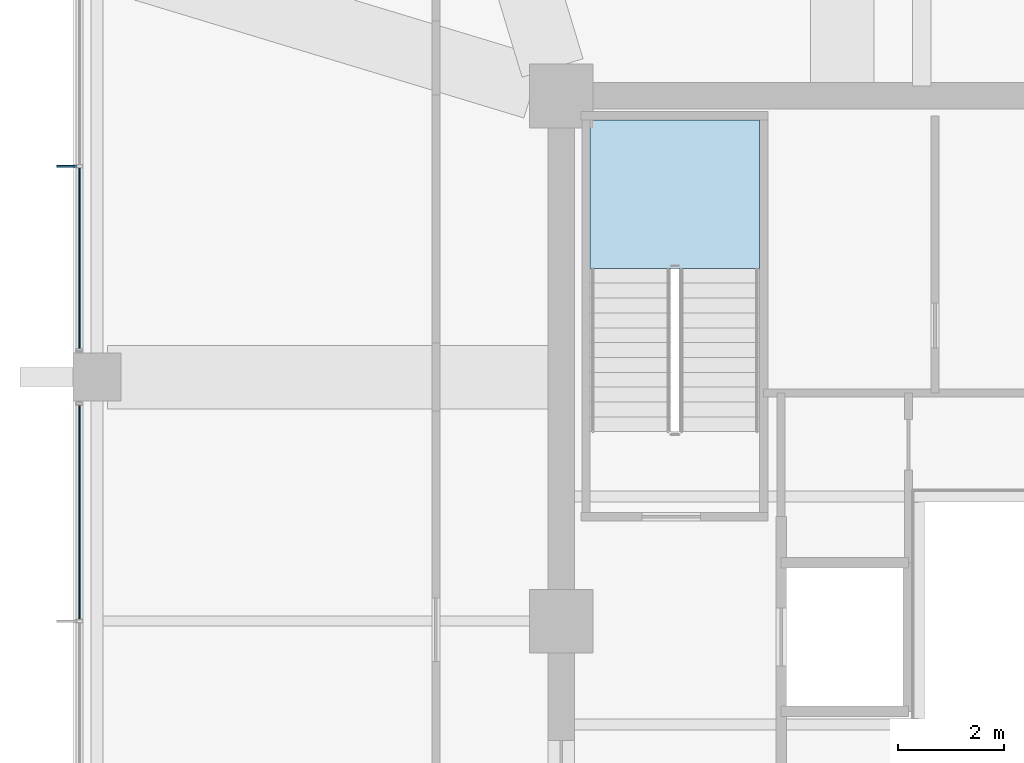
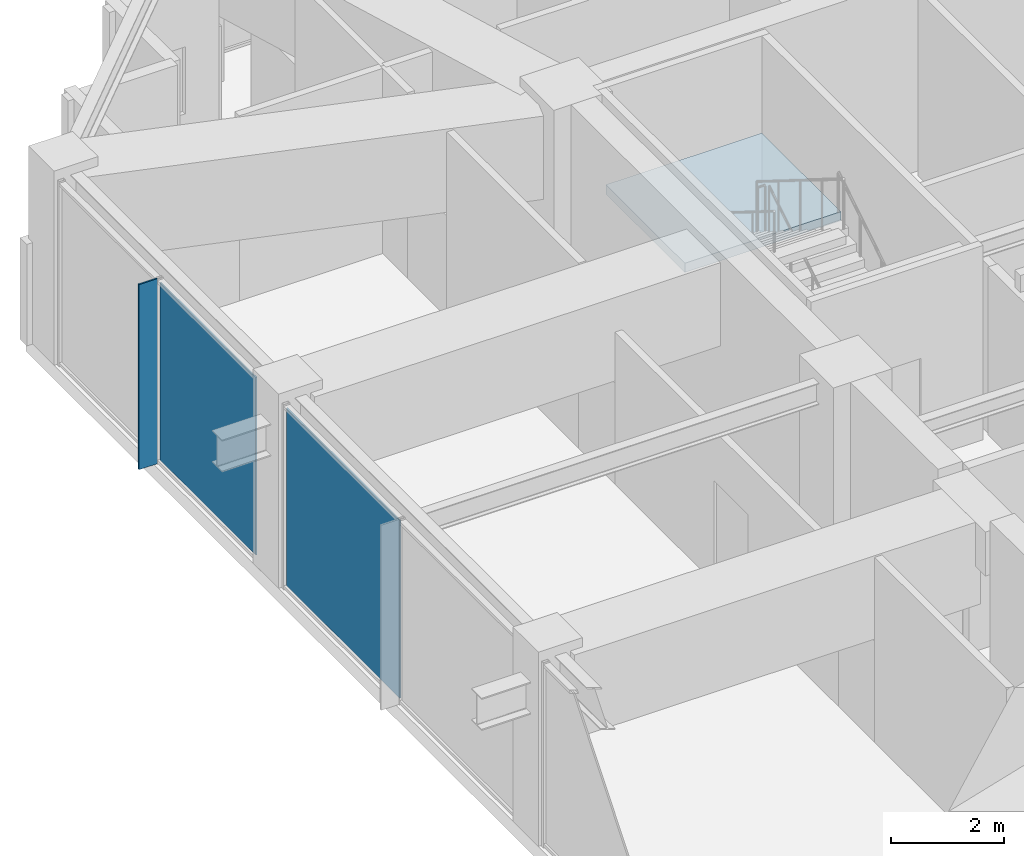
# One storey, part 22 of 33: 3 plates, 1 slab, 3 elements without a shape of their own.
"""IFC4 building model written with IfcOpenShell, lengths in metres."""

from ifc_helpers import new_model, si_unit, direction, frame, origin, origin_2d, place, context, subcontext, project, spatial, polyline, rectangle, outline, extrude, material, layer, layer_set, type_object, element, aggregate, save


model = new_model("IFC4")

# Units and contexts
model_context = context("Model", 3, precision=1e-05, world=origin(), true_north=direction((0.0, 1.0)))
body_context = subcontext(model_context, "Body", "Model", "MODEL_VIEW")
ifc_project = project(units=[si_unit("LENGTHUNIT", "METRE"), si_unit("AREAUNIT", "SQUARE_METRE"), si_unit("VOLUMEUNIT", "CUBIC_METRE"), si_unit("PLANEANGLEUNIT", "RADIAN"), si_unit("MASSUNIT", "GRAM", prefix="KILO")], contexts=[model_context])

# Site, building, storey
site_placement = place(None, origin())
site = spatial("IfcSite", under=ifc_project, at=site_placement, CompositionType="ELEMENT")
building_placement = place(site_placement, origin())
building = spatial("IfcBuilding", under=site, at=building_placement, Name="Kolvaren Belvedere", CompositionType="ELEMENT")
storey_placement = place(building_placement, frame((0.0, 0.0, 152.699951171875)))
storey = spatial("IfcBuildingStorey", under=building, at=storey_placement, Name="L44", CompositionType="ELEMENT", Elevation=152.699951171875)

# Curtain wall, plate
ifc_material_1 = material(Name="Anodised pale-metal aluminium AA 6063-T6", Category="aluminium")
curtain_wall_type = type_object("IfcCurtainWallType", Name="CW-Z3-WAIST", PredefinedType="NOTDEFINED", material=ifc_material_1)
curtain_wall_1_placement = place(storey_placement, origin())
curtain_wall_1 = element("IfcCurtainWall", 1, at=curtain_wall_1_placement, inside=storey, type_object=curtain_wall_type, Name="L44 Unitised Curtain Wall FCW-L44-W-B2", PredefinedType="NOTDEFINED")
ifc_material_2 = material(Name="Low-iron triple insulated glass", Category="glass")
ifc_layer_1 = layer(ifc_material_2, 0.028076171875)
ifc_layer_set_1 = layer_set([ifc_layer_1], Name="Low-iron triple insulated glass")
plate_type_1 = type_object("IfcPlateType", Name="CW-PNL-VIS28", PredefinedType="CURTAIN_PANEL", material=ifc_layer_set_1)
plate_1_placement = place(storey_placement, frame((-18.97998046875, 2.048828125, 0.080078125), z_axis=(0.0, 0.0, 1.0), x_axis=(0.0, 1.0, 0.0)))
plate_1 = element("IfcPlate", 2, at=plate_1_placement, type_object=plate_type_1, Name="FCW-L44-W-B2 Vision Glazing Panel 2", PredefinedType="CURTAIN_PANEL", context=body_context, shape_type="SweptSolid", body=[
    extrude(rectangle(XDim=4.017578125, YDim=0.028076171875, at=origin_2d()), origin(), (0.0, 0.0, 1.0), 3.840087890625),
])
aggregate(curtain_wall_1, [plate_1])

curtain_wall_2_placement = place(storey_placement, origin())
curtain_wall_2 = element("IfcCurtainWall", 3, at=curtain_wall_2_placement, inside=storey, type_object=curtain_wall_type, Name="L44 Unitised Curtain Wall FCW-L44-W-B3", PredefinedType="NOTDEFINED")
plate_2_placement = place(storey_placement, frame((-18.97998046875, 6.8388671875, 0.080078125), z_axis=(0.0, 0.0, 1.0), x_axis=(0.0, 1.0, 0.0)))
plate_2 = element("IfcPlate", 4, at=plate_2_placement, type_object=plate_type_1, Name="FCW-L44-W-B3 Vision Glazing Panel 1", PredefinedType="CURTAIN_PANEL", context=body_context, shape_type="SweptSolid", body=[
    extrude(rectangle(XDim=3.392578125, YDim=0.028076171875, at=origin_2d()), origin(), (0.0, 0.0, 1.0), 3.840087890625),
])
aggregate(curtain_wall_2, [plate_2])

# Plate
ifc_material_3 = material(Name="Anodised pale-metal aluminium AA 6063-T6", Category="aluminium")
ifc_layer_2 = layer(ifc_material_3, 0.033935546875)
ifc_layer_set_2 = layer_set([ifc_layer_2], Name="Anodised pale-metal aluminium AA 6063-T6")
plate_type_2 = type_object("IfcPlateType", Name="FIN-VERT-380", PredefinedType="USERDEFINED", material=ifc_layer_set_2)
plate_3_placement = place(storey_placement, frame((-19.219970703125, 8.574951171875, 0.0), z_axis=(0.0, 0.0, 1.0), x_axis=(1.0, 0.0, 0.0)))
element("IfcPlate", 5, at=plate_3_placement, inside=storey, type_object=plate_type_2, Name="L44 Pale-Metal Vertical Shading Fin FCW-L44-W-B3-1", ObjectType="VERTICAL FIN", PredefinedType="USERDEFINED", context=body_context, shape_type="SweptSolid", body=[
    extrude(rectangle(XDim=0.3798828125, YDim=0.033935546875, at=origin_2d()), origin(), (0.0, 0.0, 1.0), 4.0),
])

# Stair, slab
ifc_material_4 = material(Name="Concrete C50/60", Category="concrete")
stair_type = type_object("IfcStairType", Name="ST-CORE-1520", PredefinedType="HALF_TURN_STAIR", material=ifc_material_4)
stair_placement = place(storey_placement, origin())
stair = element("IfcStair", 6, at=stair_placement, inside=storey, type_object=stair_type, Name="L44 Protected Exit Stair ST-1", PredefinedType="HALF_TURN_STAIR")
ifc_material_5 = material(Name="Concrete C50/60", Category="concrete")
ifc_layer_3 = layer(ifc_material_5, 0.260009765625)
ifc_layer_set_3 = layer_set([ifc_layer_3], Name="Concrete C50/60")
slab_type = type_object("IfcSlabType", Name="SL-LAND-260", PredefinedType="LANDING", material=ifc_layer_set_3)
slab_placement = place(storey_placement, frame((0.0, 0.0, 1.900146484375)))
slab = element("IfcSlab", 7, at=slab_placement, type_object=slab_type, Name="ST-1 landing 1", PredefinedType="LANDING", context=body_context, shape_type="SweptSolid", body=[
    extrude(outline(polyline([(-6.159912109375, 6.64990234375), (-6.159912109375, 9.449951171875), (-9.35009765625, 9.449951171875), (-9.35009765625, 6.64990234375), (-6.159912109375, 6.64990234375)])), origin(), (0.0, 0.0, 1.0), 0.199951171875),
])
aggregate(stair, [slab])

save(model, "model.ifc")
